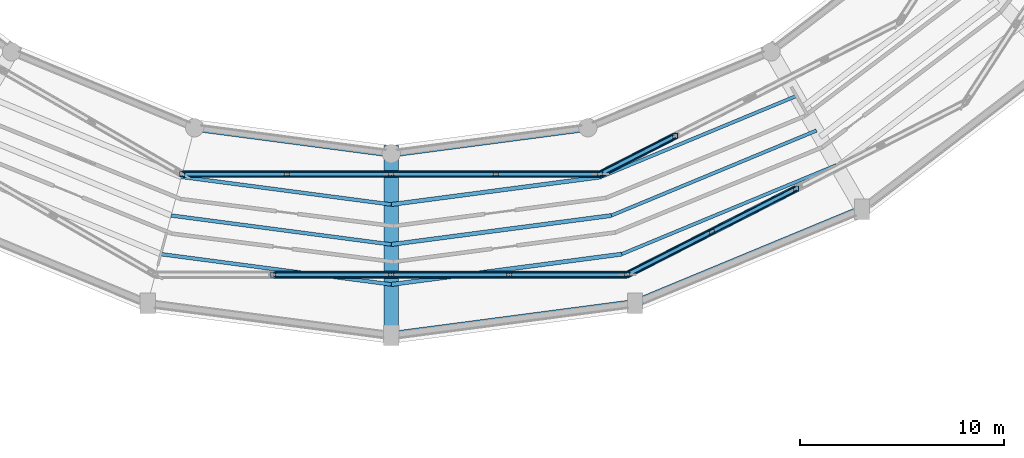
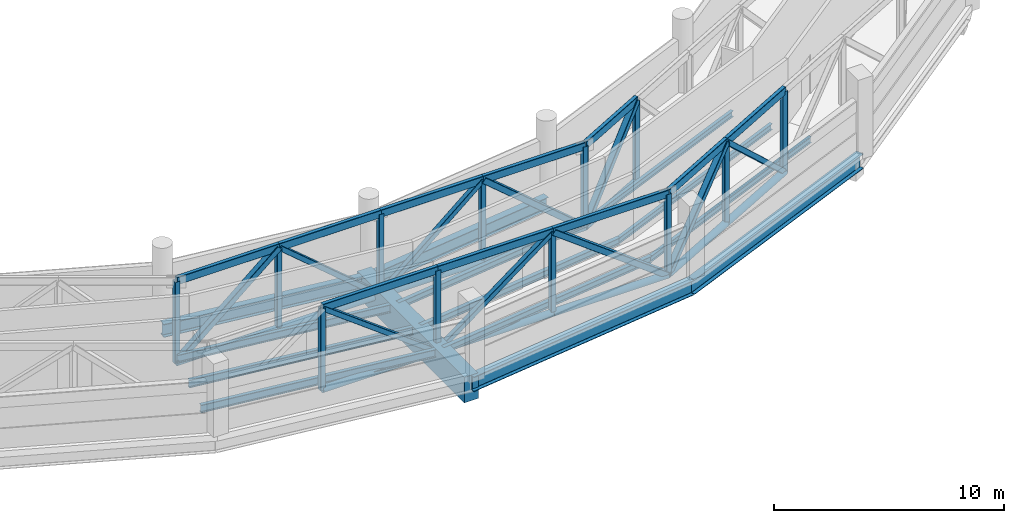
# One storey, part 27 of 121: 42 members, 14 beams.
"""IFC4 building model written with IfcOpenShell, lengths in metres."""

from ifc_helpers import new_model, si_unit, direction, frame, origin, origin_2d, place, context, subcontext, project, spatial, rectangle, hollow_rectangle, hollow_circle, i_section, extrude, material, material_profile, profile_set, type_object, element, save


model = new_model("IFC4")

# Units and contexts
model_context = context("Model", 3, precision=1e-05, world=origin(), true_north=direction((0.0, 1.0)))
body_context = subcontext(model_context, "Body", "Model", "MODEL_VIEW")
ifc_project = project(units=[si_unit("LENGTHUNIT", "METRE"), si_unit("AREAUNIT", "SQUARE_METRE"), si_unit("VOLUMEUNIT", "CUBIC_METRE"), si_unit("PLANEANGLEUNIT", "RADIAN"), si_unit("MASSUNIT", "GRAM", prefix="KILO")], contexts=[model_context])

# Site, building, storey
site_placement = place(None, origin())
site = spatial("IfcSite", under=ifc_project, at=site_placement, CompositionType="ELEMENT")
building_placement = place(site_placement, origin())
building = spatial("IfcBuilding", under=site, at=building_placement, Name="Vespera Passage Community Centre", CompositionType="ELEMENT")
storey_placement = place(building_placement, frame((0.0, 0.0, 8.699951171875)))
storey = spatial("IfcBuildingStorey", under=building, at=storey_placement, Name="L02", CompositionType="ELEMENT", Elevation=8.699951171875)

# Members
ifc_material_1 = material(Name="Steel ASTM A500 Grade C", Category="steel")
ifc_material_profile_1 = material_profile(ifc_material_1, hollow_circle(Radius=0.177734375, WallThickness=0.014892578125, at=origin_2d()), Name="CHS356X15.9")
ifc_profile_set_1 = profile_set([ifc_material_profile_1], Name="Steel ASTM A500 Grade C")
member_type_1 = type_object("IfcMemberType", Name="BC-356", PredefinedType="CHORD", material=ifc_profile_set_1)
for number, where, z_axis, x_axis, name in (
    (1, (72.221923828125, 22.371337890625, -0.849853515625), (1.0, 0.0, 0.0), (0.0, 1.0, 0.0), "BC-356 Transfer Truss Chord TR3O.2"),
    (2, (78.0, 22.371337890625, -0.849853515625), (1.0, 0.0, 0.0), (0.0, 1.0, 0.0), "BC-356 Transfer Truss Chord TR3O.3"),
):
    element("IfcMember", number, at=place(storey_placement, frame(where, z_axis=z_axis, x_axis=x_axis)), inside=storey, type_object=member_type_1, Name=name, PredefinedType="CHORD", context=body_context, shape_type="SweptSolid", body=[
        extrude(hollow_circle(Radius=0.177734375, WallThickness=0.014892578125, at=origin_2d()), origin(), (0.0, 0.0, 1.0), 5.778076171875),
    ])
member_1_placement = place(storey_placement, frame((83.778076171875, 22.371337890625, -0.849853515625), z_axis=(1.0, 0.0, 0.0), x_axis=(0.0, 1.0, 0.0)))
element("IfcMember", 3, at=member_1_placement, inside=storey, type_object=member_type_1, Name="BC-356 Transfer Truss Chord TR3O.4", PredefinedType="CHORD", context=body_context, shape_type="SweptSolid", body=[
    extrude(hollow_circle(Radius=0.177734375, WallThickness=0.014892578125, at=origin_2d()), origin(), (0.0, 0.0, 1.0), 5.7783203125),
])
for number, where, z_axis, x_axis, name in (
    (4, (67.763671875, 27.297607421875, -0.849853515625), (1.0, 0.0, 0.0), (0.0, 1.0, 0.0), "BC-356 Transfer Truss Chord TR3I.1"),
    (5, (72.8818359375, 27.297607421875, -0.849853515625), (1.0, 0.0, 0.0), (0.0, 1.0, 0.0), "BC-356 Transfer Truss Chord TR3I.2"),
    (6, (78.0, 27.297607421875, -0.849853515625), (1.0, 0.0, 0.0), (0.0, 1.0, 0.0), "BC-356 Transfer Truss Chord TR3I.3"),
    (7, (83.1181640625, 27.297607421875, -0.849853515625), (1.0, 0.0, 0.0), (0.0, 1.0, 0.0), "BC-356 Transfer Truss Chord TR3I.4"),
):
    element("IfcMember", number, at=place(storey_placement, frame(where, z_axis=z_axis, x_axis=x_axis)), inside=storey, type_object=member_type_1, Name=name, PredefinedType="CHORD", context=body_context, shape_type="SweptSolid", body=[
        extrude(hollow_circle(Radius=0.177734375, WallThickness=0.014892578125, at=origin_2d()), origin(), (0.0, 0.0, 1.0), 5.1181640625),
    ])
for number, where, z_axis, x_axis, name in (
    (8, (89.556396484375, 22.371337890625, -0.849853515625), (0.890982088243, 0.454038454792, 0.0), (-0.454038454792, 0.890982088243, 0.0), "BC-356 Transfer Truss Chord TR4O.1"),
    (9, (93.69189453125, 24.478759765625, -0.849853515625), (0.891014207289, 0.453975420491, 0.0), (-0.453975420491, 0.891014207289, 0.0), "BC-356 Transfer Truss Chord TR4O.2"),
):
    element("IfcMember", number, at=place(storey_placement, frame(where, z_axis=z_axis, x_axis=x_axis)), inside=storey, type_object=member_type_1, Name=name, PredefinedType="CHORD", context=body_context, shape_type="SweptSolid", body=[
        extrude(hollow_circle(Radius=0.177734375, WallThickness=0.014892578125, at=origin_2d()), origin(), (0.0, 0.0, 1.0), 4.6416015625),
    ])
member_2_placement = place(storey_placement, frame((88.236328125, 27.297607421875, -0.849853515625), z_axis=(0.890992817467, 0.45401739969, 0.0), x_axis=(-0.45401739969, 0.890992817467, 0.0)))
element("IfcMember", 10, at=member_2_placement, inside=storey, type_object=member_type_1, Name="BC-356 Transfer Truss Chord TR4I.1", PredefinedType="CHORD", context=body_context, shape_type="SweptSolid", body=[
    extrude(hollow_circle(Radius=0.177734375, WallThickness=0.014892578125, at=origin_2d()), origin(), (0.0, 0.0, 1.0), 4.111572265625),
])

# Beams
ifc_material_2 = material(Name="Steel ASTM A992 Grade 50", Category="steel")
ifc_material_profile_2 = material_profile(ifc_material_2, i_section(OverallWidth=0.16650390625, OverallDepth=0.3173828125, WebThickness=0.007568359375, FlangeThickness=0.01318359375, FilletRadius=0.007568359375, at=origin_2d()), Name="W12X35")
ifc_profile_set_2 = profile_set([ifc_material_profile_2], Name="Steel ASTM A992 Grade 50")
beam_type_1 = type_object("IfcBeamType", Name="BM-J-W12X35", PredefinedType="JOIST", material=ifc_profile_set_2)
beam_1_placement = place(storey_placement, frame((88.273193359375, 27.160400390625, -0.498779296875), z_axis=(0.923873815861, 0.382697233288, 0.0), x_axis=(-0.382697233288, 0.923873815861, 0.0)))
element("IfcBeam", 11, at=beam_1_placement, inside=storey, type_object=beam_type_1, Name="V4 L02 Floor Joist 19.1", PredefinedType="JOIST", context=body_context, shape_type="SweptSolid", body=[
    extrude(i_section(OverallWidth=0.16650390625, OverallDepth=0.3173828125, WebThickness=0.007568359375, FlangeThickness=0.01318359375, FilletRadius=0.007568359375, at=origin_2d()), origin(), (0.0, 0.0, 1.0), 10.361572265625),
])
beam_2_placement = place(storey_placement, frame((88.77978515625, 25.269287109375, -0.498779296875), z_axis=(0.923878079901, 0.382686939258, 0.0), x_axis=(-0.382686939258, 0.923878079901, 0.0)))
element("IfcBeam", 12, at=beam_2_placement, inside=storey, type_object=beam_type_1, Name="V4 L02 Floor Joist 19.2", PredefinedType="JOIST", context=body_context, shape_type="SweptSolid", body=[
    extrude(i_section(OverallWidth=0.16650390625, OverallDepth=0.3173828125, WebThickness=0.007568359375, FlangeThickness=0.01318359375, FilletRadius=0.007568359375, at=origin_2d()), origin(), (0.0, 0.0, 1.0), 10.872802734375),
])
beam_3_placement = place(storey_placement, frame((89.28662109375, 23.3779296875, -0.498779296875), z_axis=(0.923878820173, 0.382685152097, 0.0), x_axis=(-0.382685152097, 0.923878820173, 0.0)))
element("IfcBeam", 13, at=beam_3_placement, inside=storey, type_object=beam_type_1, Name="V4 L02 Floor Joist 19.3", PredefinedType="JOIST", context=body_context, shape_type="SweptSolid", body=[
    extrude(i_section(OverallWidth=0.16650390625, OverallDepth=0.3173828125, WebThickness=0.007568359375, FlangeThickness=0.01318359375, FilletRadius=0.007568359375, at=origin_2d()), origin(), (0.0, 0.0, 1.0), 11.3837890625),
])
ifc_material_3 = material(Name="Steel ASTM A992 Grade 50", Category="steel")
ifc_material_profile_3 = material_profile(ifc_material_3, i_section(OverallWidth=0.2041015625, OverallDepth=0.3505859375, WebThickness=0.008544921875, FlangeThickness=0.01513671875, FilletRadius=0.01513671875, at=origin_2d()), Name="W14X48")
ifc_profile_set_3 = profile_set([ifc_material_profile_3], Name="Steel ASTM A992 Grade 50")
beam_type_2 = type_object("IfcBeamType", Name="BM-J-W14X48", PredefinedType="JOIST", material=ifc_profile_set_3)
beam_4_placement = place(storey_placement, frame((78.0, 25.80810546875, -0.51513671875), z_axis=(0.991447317077, 0.130507537947, 0.0), x_axis=(-0.130507537947, 0.991447317077, 0.0)))
element("IfcBeam", 14, at=beam_4_placement, inside=storey, type_object=beam_type_2, Name="V4 L02 Floor Joist 18.1", PredefinedType="JOIST", context=body_context, shape_type="SweptSolid", body=[
    extrude(i_section(OverallWidth=0.2041015625, OverallDepth=0.3505859375, WebThickness=0.008544921875, FlangeThickness=0.01513671875, FilletRadius=0.01513671875, at=origin_2d()), origin(), (0.0, 0.0, 1.0), 10.36181640625),
])
beam_5_placement = place(storey_placement, frame((78.0, 23.85009765625, -0.51513671875), z_axis=(0.991444815981, 0.130526537014, 0.0), x_axis=(-0.130526537014, 0.991444815981, 0.0)))
element("IfcBeam", 15, at=beam_5_placement, inside=storey, type_object=beam_type_2, Name="V4 L02 Floor Joist 18.2", PredefinedType="JOIST", context=body_context, shape_type="SweptSolid", body=[
    extrude(i_section(OverallWidth=0.2041015625, OverallDepth=0.3505859375, WebThickness=0.008544921875, FlangeThickness=0.01513671875, FilletRadius=0.01513671875, at=origin_2d()), origin(), (0.0, 0.0, 1.0), 10.872802734375),
])
beam_6_placement = place(storey_placement, frame((78.0, 21.89208984375, -0.51513671875), z_axis=(0.991445679969, 0.130519974222, 0.0), x_axis=(-0.130519974222, 0.991445679969, 0.0)))
element("IfcBeam", 16, at=beam_6_placement, inside=storey, type_object=beam_type_2, Name="V4 L02 Floor Joist 18.3", PredefinedType="JOIST", context=body_context, shape_type="SweptSolid", body=[
    extrude(i_section(OverallWidth=0.2041015625, OverallDepth=0.3505859375, WebThickness=0.008544921875, FlangeThickness=0.01513671875, FilletRadius=0.01513671875, at=origin_2d()), origin(), (0.0, 0.0, 1.0), 11.384033203125),
])
ifc_material_4 = material(Name="Steel ASTM A992 Grade 50", Category="steel")
ifc_material_profile_4 = material_profile(ifc_material_4, i_section(OverallWidth=0.180908203125, OverallDepth=0.417236328125, WebThickness=0.010986328125, FlangeThickness=0.018310546875, FilletRadius=0.01025390625, at=origin_2d()), Name="W16X57")
ifc_profile_set_4 = profile_set([ifc_material_profile_4], Name="Steel ASTM A992 Grade 50")
beam_type_3 = type_object("IfcBeamType", Name="BM-J-W16X57", PredefinedType="JOIST", material=ifc_profile_set_4)
beam_7_placement = place(storey_placement, frame((67.726806640625, 27.160400390625, -0.548583984375), z_axis=(0.991447317077, -0.130507537947, 0.0), x_axis=(0.130507537947, 0.991447317077, 0.0)))
element("IfcBeam", 17, at=beam_7_placement, inside=storey, type_object=beam_type_3, Name="V4 L02 Floor Joist 17.1", PredefinedType="JOIST", context=body_context, shape_type="SweptSolid", body=[
    extrude(i_section(OverallWidth=0.180908203125, OverallDepth=0.417236328125, WebThickness=0.010986328125, FlangeThickness=0.018310546875, FilletRadius=0.01025390625, at=origin_2d()), origin(), (0.0, 0.0, 1.0), 10.36181640625),
])
beam_8_placement = place(storey_placement, frame((67.22021484375, 25.269287109375, -0.548583984375), z_axis=(0.991444815981, -0.130526537014, 0.0), x_axis=(0.130526537014, 0.991444815981, 0.0)))
element("IfcBeam", 18, at=beam_8_placement, inside=storey, type_object=beam_type_3, Name="V4 L02 Floor Joist 17.2", PredefinedType="JOIST", context=body_context, shape_type="SweptSolid", body=[
    extrude(i_section(OverallWidth=0.180908203125, OverallDepth=0.417236328125, WebThickness=0.010986328125, FlangeThickness=0.018310546875, FilletRadius=0.01025390625, at=origin_2d()), origin(), (0.0, 0.0, 1.0), 10.872802734375),
])
beam_9_placement = place(storey_placement, frame((66.71337890625, 23.3779296875, -0.548583984375), z_axis=(0.991445679969, -0.130519974222, 0.0), x_axis=(0.130519974222, 0.991445679969, 0.0)))
element("IfcBeam", 19, at=beam_9_placement, inside=storey, type_object=beam_type_3, Name="V4 L02 Floor Joist 17.3", PredefinedType="JOIST", context=body_context, shape_type="SweptSolid", body=[
    extrude(i_section(OverallWidth=0.180908203125, OverallDepth=0.417236328125, WebThickness=0.010986328125, FlangeThickness=0.018310546875, FilletRadius=0.01025390625, at=origin_2d()), origin(), (0.0, 0.0, 1.0), 11.384033203125),
])
ifc_material_5 = material(Name="Steel ASTM A992 Grade 50", Category="steel")
ifc_material_profile_5 = material_profile(ifc_material_5, i_section(OverallWidth=0.3544921875, OverallDepth=0.695556640625, WebThickness=0.015380859375, FlangeThickness=0.024658203125, FilletRadius=0.01513671875, at=origin_2d()), Name="W27X146")
ifc_profile_set_5 = profile_set([ifc_material_profile_5], Name="Steel ASTM A992 Grade 50")
beam_type_4 = type_object("IfcBeamType", Name="BM-SP-W27X146E", PredefinedType="SPANDREL", material=ifc_profile_set_5)
for number, where, z_axis, x_axis, name in (
    (20, (68.371826171875, 29.567626953125, -0.687744140625), (0.991444794834, -0.130526697639, 0.0), (0.130526697639, 0.991444794834, 0.0), "V4 L02 Inner Spandrel 17"),
    (21, (78.0, 28.300048828125, -0.687744140625), (0.991444794834, 0.130526697639, 0.0), (-0.130526697639, 0.991444794834, 0.0), "V4 L02 Inner Spandrel 18"),
):
    element("IfcBeam", number, at=place(storey_placement, frame(where, z_axis=z_axis, x_axis=x_axis)), inside=storey, type_object=beam_type_4, Name=name, PredefinedType="SPANDREL", context=body_context, shape_type="SweptSolid", body=[
        extrude(i_section(OverallWidth=0.3544921875, OverallDepth=0.695556640625, WebThickness=0.015380859375, FlangeThickness=0.024658203125, FilletRadius=0.01513671875, at=origin_2d()), origin(), (0.0, 0.0, 1.0), 9.711181640625),
    ])
ifc_material_6 = material(Name="Steel ASTM A992 Grade 50", Category="steel")
ifc_material_profile_6 = material_profile(ifc_material_6, i_section(OverallWidth=0.382080078125, OverallDepth=0.779296875, WebThickness=0.01806640625, FlangeThickness=0.030029296875, FilletRadius=0.0166015625, at=origin_2d()), Name="W30X191")
ifc_profile_set_6 = profile_set([ifc_material_profile_6], Name="Steel ASTM A992 Grade 50")
beam_type_5 = type_object("IfcBeamType", Name="BM-SP-W30X191E", PredefinedType="SPANDREL", material=ifc_profile_set_6)
beam_10_placement = place(storey_placement, frame((78.0, 19.39990234375, -0.729736328125), z_axis=(0.991445178667, 0.130523782115, 0.0), x_axis=(-0.130523782115, 0.991445178667, 0.0)))
element("IfcBeam", 22, at=beam_10_placement, inside=storey, type_object=beam_type_5, Name="V4 L02 Outer Spandrel 18", PredefinedType="SPANDREL", context=body_context, shape_type="SweptSolid", body=[
    extrude(i_section(OverallWidth=0.382080078125, OverallDepth=0.779296875, WebThickness=0.01806640625, FlangeThickness=0.030029296875, FilletRadius=0.0166015625, at=origin_2d()), origin(), (0.0, 0.0, 1.0), 12.03466796875),
])
beam_11_placement = place(storey_placement, frame((89.931640625, 20.970703125, -0.729736328125), z_axis=(0.923877379647, 0.382688629799, 0.0), x_axis=(-0.382688629799, 0.923877379647, 0.0)))
element("IfcBeam", 23, at=beam_11_placement, inside=storey, type_object=beam_type_5, Name="V4 L02 Outer Spandrel 19", PredefinedType="SPANDREL", context=body_context, shape_type="SweptSolid", body=[
    extrude(i_section(OverallWidth=0.382080078125, OverallDepth=0.779296875, WebThickness=0.01806640625, FlangeThickness=0.030029296875, FilletRadius=0.0166015625, at=origin_2d()), origin(), (0.0, 0.0, 1.0), 12.034423828125),
])

# Members
ifc_material_7 = material(Name="Steel ASTM A500 Grade C", Category="steel")
ifc_material_profile_7 = material_profile(ifc_material_7, hollow_rectangle(XDim=0.203125, YDim=0.406494140625, WallThickness=0.014892578125, InnerFilletRadius=0.014892578125, OuterFilletRadius=0.029541015625, at=origin_2d()), Name="HSS406X203X15.9")
ifc_profile_set_7 = profile_set([ifc_material_profile_7], Name="Steel ASTM A500 Grade C")
member_type_2 = type_object("IfcMemberType", Name="TC-406", PredefinedType="CHORD", material=ifc_profile_set_7)
for number, where, z_axis, x_axis, name in (
    (24, (72.221923828125, 22.371337890625, 3.47998046875), (1.0, 0.0, 0.0), (0.0, 1.0, 0.0), "TC-406 Transfer Truss Chord TR3O.2"),
    (25, (78.0, 22.371337890625, 3.47998046875), (1.0, 0.0, 0.0), (0.0, 1.0, 0.0), "TC-406 Transfer Truss Chord TR3O.3"),
):
    element("IfcMember", number, at=place(storey_placement, frame(where, z_axis=z_axis, x_axis=x_axis)), inside=storey, type_object=member_type_2, Name=name, PredefinedType="CHORD", context=body_context, shape_type="SweptSolid", body=[
        extrude(hollow_rectangle(XDim=0.203125, YDim=0.406494140625, WallThickness=0.014892578125, InnerFilletRadius=0.014892578125, OuterFilletRadius=0.029541015625, at=origin_2d()), origin(), (0.0, 0.0, 1.0), 5.778076171875),
    ])
member_3_placement = place(storey_placement, frame((83.778076171875, 22.371337890625, 3.47998046875), z_axis=(1.0, 0.0, 0.0), x_axis=(0.0, 1.0, 0.0)))
element("IfcMember", 26, at=member_3_placement, inside=storey, type_object=member_type_2, Name="TC-406 Transfer Truss Chord TR3O.4", PredefinedType="CHORD", context=body_context, shape_type="SweptSolid", body=[
    extrude(hollow_rectangle(XDim=0.203125, YDim=0.406494140625, WallThickness=0.014892578125, InnerFilletRadius=0.014892578125, OuterFilletRadius=0.029541015625, at=origin_2d()), origin(), (0.0, 0.0, 1.0), 5.7783203125),
])
for number, where, z_axis, x_axis, name in (
    (27, (67.763671875, 27.297607421875, 3.47998046875), (1.0, 0.0, 0.0), (0.0, 1.0, 0.0), "TC-406 Transfer Truss Chord TR3I.1"),
    (28, (72.8818359375, 27.297607421875, 3.47998046875), (1.0, 0.0, 0.0), (0.0, 1.0, 0.0), "TC-406 Transfer Truss Chord TR3I.2"),
    (29, (78.0, 27.297607421875, 3.47998046875), (1.0, 0.0, 0.0), (0.0, 1.0, 0.0), "TC-406 Transfer Truss Chord TR3I.3"),
    (30, (83.1181640625, 27.297607421875, 3.47998046875), (1.0, 0.0, 0.0), (0.0, 1.0, 0.0), "TC-406 Transfer Truss Chord TR3I.4"),
):
    element("IfcMember", number, at=place(storey_placement, frame(where, z_axis=z_axis, x_axis=x_axis)), inside=storey, type_object=member_type_2, Name=name, PredefinedType="CHORD", context=body_context, shape_type="SweptSolid", body=[
        extrude(hollow_rectangle(XDim=0.203125, YDim=0.406494140625, WallThickness=0.014892578125, InnerFilletRadius=0.014892578125, OuterFilletRadius=0.029541015625, at=origin_2d()), origin(), (0.0, 0.0, 1.0), 5.1181640625),
    ])
for number, where, z_axis, x_axis, name in (
    (31, (89.556396484375, 22.371337890625, 3.47998046875), (0.890982088243, 0.454038454792, 0.0), (-0.454038454792, 0.890982088243, 0.0), "TC-406 Transfer Truss Chord TR4O.1"),
    (32, (93.69189453125, 24.478759765625, 3.47998046875), (0.891014207289, 0.453975420491, 0.0), (-0.453975420491, 0.891014207289, 0.0), "TC-406 Transfer Truss Chord TR4O.2"),
):
    element("IfcMember", number, at=place(storey_placement, frame(where, z_axis=z_axis, x_axis=x_axis)), inside=storey, type_object=member_type_2, Name=name, PredefinedType="CHORD", context=body_context, shape_type="SweptSolid", body=[
        extrude(hollow_rectangle(XDim=0.203125, YDim=0.406494140625, WallThickness=0.014892578125, InnerFilletRadius=0.014892578125, OuterFilletRadius=0.029541015625, at=origin_2d()), origin(), (0.0, 0.0, 1.0), 4.6416015625),
    ])
member_4_placement = place(storey_placement, frame((88.236328125, 27.297607421875, 3.47998046875), z_axis=(0.890992817467, 0.45401739969, 0.0), x_axis=(-0.45401739969, 0.890992817467, 0.0)))
element("IfcMember", 33, at=member_4_placement, inside=storey, type_object=member_type_2, Name="TC-406 Transfer Truss Chord TR4I.1", PredefinedType="CHORD", context=body_context, shape_type="SweptSolid", body=[
    extrude(hollow_rectangle(XDim=0.203125, YDim=0.406494140625, WallThickness=0.014892578125, InnerFilletRadius=0.014892578125, OuterFilletRadius=0.029541015625, at=origin_2d()), origin(), (0.0, 0.0, 1.0), 4.111572265625),
])
ifc_material_8 = material(Name="Steel ASTM A500 Grade C", Category="steel")
ifc_material_profile_8 = material_profile(ifc_material_8, hollow_rectangle(XDim=0.25390625, YDim=0.25390625, WallThickness=0.01171875, InnerFilletRadius=0.01171875, OuterFilletRadius=0.023681640625, at=origin_2d()), Name="HSS254X254X12.7")
ifc_profile_set_8 = profile_set([ifc_material_profile_8], Name="Steel ASTM A500 Grade C")
member_type_3 = type_object("IfcMemberType", Name="TD-254", PredefinedType="BRACE", material=ifc_profile_set_8)
for number, where, z_axis, x_axis, name in (
    (34, (72.221923828125, 22.371337890625, 3.47998046875), (0.800247441598, 0.0, -0.599669936061), (0.0, 1.0, 0.0), "TD-254 Transfer Truss Diagonal TR3O.2"),
    (35, (78.0, 22.371337890625, -0.849853515625), (0.800247441598, 0.0, 0.599669936061), (0.0, 1.0, 0.0), "TD-254 Transfer Truss Diagonal TR3O.3"),
):
    element("IfcMember", number, at=place(storey_placement, frame(where, z_axis=z_axis, x_axis=x_axis)), inside=storey, type_object=member_type_3, Name=name, PredefinedType="BRACE", context=body_context, shape_type="SweptSolid", body=[
        extrude(hollow_rectangle(XDim=0.25390625, YDim=0.25390625, WallThickness=0.01171875, InnerFilletRadius=0.01171875, OuterFilletRadius=0.023681640625, at=origin_2d()), origin(), (0.0, 0.0, 1.0), 7.220458984375),
    ])
for number, where, z_axis, x_axis, name in (
    (36, (72.8818359375, 27.297607421875, 3.47998046875), (0.763453967275, 0.0, -0.64586224526), (0.0, 1.0, 0.0), "TD-254 Transfer Truss Diagonal TR3I.2"),
    (37, (78.0, 27.297607421875, -0.849853515625), (0.763453967275, 0.0, 0.64586224526), (0.0, 1.0, 0.0), "TD-254 Transfer Truss Diagonal TR3I.3"),
):
    element("IfcMember", number, at=place(storey_placement, frame(where, z_axis=z_axis, x_axis=x_axis)), inside=storey, type_object=member_type_3, Name=name, PredefinedType="BRACE", context=body_context, shape_type="SweptSolid", body=[
        extrude(hollow_rectangle(XDim=0.25390625, YDim=0.25390625, WallThickness=0.01171875, InnerFilletRadius=0.01171875, OuterFilletRadius=0.023681640625, at=origin_2d()), origin(), (0.0, 0.0, 1.0), 6.703857421875),
    ])
member_5_placement = place(storey_placement, frame((93.69189453125, 24.478759765625, 3.47998046875), z_axis=(0.651544251248, 0.331964488343, -0.682121446038), x_axis=(-0.453975420491, 0.891014207289, 0.0)))
element("IfcMember", 38, at=member_5_placement, inside=storey, type_object=member_type_3, Name="TD-254 Transfer Truss Diagonal TR4O.2", PredefinedType="BRACE", context=body_context, shape_type="SweptSolid", body=[
    extrude(hollow_rectangle(XDim=0.25390625, YDim=0.25390625, WallThickness=0.01171875, InnerFilletRadius=0.01171875, OuterFilletRadius=0.023681640625, at=origin_2d()), origin(), (0.0, 0.0, 1.0), 6.34765625),
])
ifc_material_9 = material(Name="Steel ASTM A500 Grade C", Category="steel")
ifc_material_profile_9 = material_profile(ifc_material_9, hollow_rectangle(XDim=0.3046875, YDim=0.3046875, WallThickness=0.014892578125, InnerFilletRadius=0.014892578125, OuterFilletRadius=0.029541015625, at=origin_2d()), Name="HSS305X305X15.9")
ifc_profile_set_9 = profile_set([ifc_material_profile_9], Name="Steel ASTM A500 Grade C")
member_type_4 = type_object("IfcMemberType", Name="TD-305", PredefinedType="BRACE", material=ifc_profile_set_9)
member_6_placement = place(storey_placement, frame((83.778076171875, 22.371337890625, 3.47998046875), z_axis=(0.800259600323, 0.0, -0.599653710146), x_axis=(0.0, 1.0, 0.0)))
element("IfcMember", 39, at=member_6_placement, inside=storey, type_object=member_type_4, Name="TD-305 Transfer Truss Diagonal TR3O.4", PredefinedType="BRACE", context=body_context, shape_type="SweptSolid", body=[
    extrude(hollow_rectangle(XDim=0.3046875, YDim=0.3046875, WallThickness=0.014892578125, InnerFilletRadius=0.014892578125, OuterFilletRadius=0.029541015625, at=origin_2d()), origin(), (0.0, 0.0, 1.0), 7.220458984375),
])
for number, where, z_axis, x_axis, name in (
    (40, (67.763671875, 27.297607421875, -0.849853515625), (0.763453967275, 0.0, 0.64586224526), (0.0, 1.0, 0.0), "TD-305 Transfer Truss Diagonal TR3I.1"),
    (41, (83.1181640625, 27.297607421875, 3.47998046875), (0.763453967275, 0.0, -0.64586224526), (0.0, 1.0, 0.0), "TD-305 Transfer Truss Diagonal TR3I.4"),
):
    element("IfcMember", number, at=place(storey_placement, frame(where, z_axis=z_axis, x_axis=x_axis)), inside=storey, type_object=member_type_4, Name=name, PredefinedType="BRACE", context=body_context, shape_type="SweptSolid", body=[
        extrude(hollow_rectangle(XDim=0.3046875, YDim=0.3046875, WallThickness=0.014892578125, InnerFilletRadius=0.014892578125, OuterFilletRadius=0.029541015625, at=origin_2d()), origin(), (0.0, 0.0, 1.0), 6.703857421875),
    ])
member_7_placement = place(storey_placement, frame((89.556396484375, 22.371337890625, -0.849853515625), z_axis=(0.651513796625, 0.332007030667, 0.682129829574), x_axis=(-0.454038454792, 0.890982088243, 0.0)))
element("IfcMember", 42, at=member_7_placement, inside=storey, type_object=member_type_4, Name="TD-305 Transfer Truss Diagonal TR4O.1", PredefinedType="BRACE", context=body_context, shape_type="SweptSolid", body=[
    extrude(hollow_rectangle(XDim=0.3046875, YDim=0.3046875, WallThickness=0.014892578125, InnerFilletRadius=0.014892578125, OuterFilletRadius=0.029541015625, at=origin_2d()), origin(), (0.0, 0.0, 1.0), 6.347412109375),
])
member_8_placement = place(storey_placement, frame((88.236328125, 27.297607421875, -0.849853515625), z_axis=(0.613527463657, 0.312631188745, 0.72515225378), x_axis=(-0.45401739969, 0.890992817467, 0.0)))
element("IfcMember", 43, at=member_8_placement, inside=storey, type_object=member_type_4, Name="TD-305 Transfer Truss Diagonal TR4I.1", PredefinedType="BRACE", context=body_context, shape_type="SweptSolid", body=[
    extrude(hollow_rectangle(XDim=0.3046875, YDim=0.3046875, WallThickness=0.014892578125, InnerFilletRadius=0.014892578125, OuterFilletRadius=0.029541015625, at=origin_2d()), origin(), (0.0, 0.0, 1.0), 5.970947265625),
])

# Beam
ifc_material_10 = material(Name="Concrete f'c 45 MPa", Category="concrete")
ifc_material_profile_10 = material_profile(ifc_material_10, rectangle(XDim=0.699951171875, YDim=1.35009765625, at=origin_2d()), Name="RC700X1350")
ifc_profile_set_10 = profile_set([ifc_material_profile_10], Name="Concrete f'c 45 MPa")
beam_type_6 = type_object("IfcBeamType", Name="TG-1350", PredefinedType="USERDEFINED", material=ifc_profile_set_10)
beam_12_placement = place(storey_placement, frame((78.0, 28.699951171875, -1.014892578125), z_axis=(0.0, -1.0, 0.0), x_axis=(1.0, 0.0, 0.0)))
element("IfcBeam", 44, at=beam_12_placement, inside=storey, type_object=beam_type_6, Name="V4 L02 Radial Transfer Girder 18", ObjectType="TRANSFER GIRDER", PredefinedType="USERDEFINED", context=body_context, shape_type="SweptSolid", body=[
    extrude(rectangle(XDim=0.699951171875, YDim=1.35009765625, at=origin_2d()), origin(), (0.0, 0.0, 1.0), 9.300048828125),
])

# Members
ifc_material_11 = material(Name="Steel ASTM A500 Grade C", Category="steel")
ifc_material_profile_11 = material_profile(ifc_material_11, hollow_rectangle(XDim=0.25390625, YDim=0.25390625, WallThickness=0.01171875, InnerFilletRadius=0.01171875, OuterFilletRadius=0.023681640625, at=origin_2d()), Name="HSS254X254X12.7")
ifc_profile_set_11 = profile_set([ifc_material_profile_11], Name="Steel ASTM A500 Grade C")
member_type_5 = type_object("IfcMemberType", Name="TP-254", PredefinedType="POST", material=ifc_profile_set_11)
for number, where, z_axis, x_axis, name in (
    (45, (67.763671875, 27.297607421875, -0.849853515625), (0.0, 0.0, 1.0), (1.0, 0.0, 0.0), "Truss TR2I Vertical Post 5"),
    (46, (72.221923828125, 22.371337890625, -0.849853515625), (0.0, 0.0, 1.0), (1.0, 0.0, 0.0), "Truss TR3O Vertical Post 2"),
    (47, (78.0, 22.371337890625, -0.849853515625), (0.0, 0.0, 1.0), (1.0, 0.0, 0.0), "Truss TR3O Vertical Post 3"),
    (48, (83.778076171875, 22.371337890625, -0.849853515625), (0.0, 0.0, 1.0), (1.0, 0.0, 0.0), "Truss TR3O Vertical Post 4"),
    (49, (89.556396484375, 22.371337890625, -0.849853515625), (0.0, 0.0, 1.0), (1.0, 0.0, 0.0), "Truss TR3O Vertical Post 5"),
    (50, (72.8818359375, 27.297607421875, -0.849853515625), (0.0, 0.0, 1.0), (1.0, 0.0, 0.0), "Truss TR3I Vertical Post 2"),
    (51, (78.0, 27.297607421875, -0.849853515625), (0.0, 0.0, 1.0), (1.0, 0.0, 0.0), "Truss TR3I Vertical Post 3"),
    (52, (83.1181640625, 27.297607421875, -0.849853515625), (0.0, 0.0, 1.0), (1.0, 0.0, 0.0), "Truss TR3I Vertical Post 4"),
    (53, (88.236328125, 27.297607421875, -0.849853515625), (0.0, 0.0, 1.0), (1.0, 0.0, 0.0), "Truss TR3I Vertical Post 5"),
    (54, (93.69189453125, 24.478759765625, -0.849853515625), (0.0, 0.0, 1.0), (1.0, 0.0, 0.0), "Truss TR4O Vertical Post 2"),
    (55, (97.82763671875, 26.5859375, -0.849853515625), (0.0, 0.0, 1.0), (1.0, 0.0, 0.0), "Truss TR4O Vertical Post 3"),
    (56, (91.899658203125, 29.164306640625, -0.849853515625), (0.0, 0.0, 1.0), (1.0, 0.0, 0.0), "Truss TR4I Vertical Post 2"),
):
    element("IfcMember", number, at=place(storey_placement, frame(where, z_axis=z_axis, x_axis=x_axis)), inside=storey, type_object=member_type_5, Name=name, PredefinedType="POST", context=body_context, shape_type="SweptSolid", body=[
        extrude(hollow_rectangle(XDim=0.25390625, YDim=0.25390625, WallThickness=0.01171875, InnerFilletRadius=0.01171875, OuterFilletRadius=0.023681640625, at=origin_2d()), origin(), (0.0, 0.0, 1.0), 4.329833984375),
    ])

save(model, "model.ifc")
